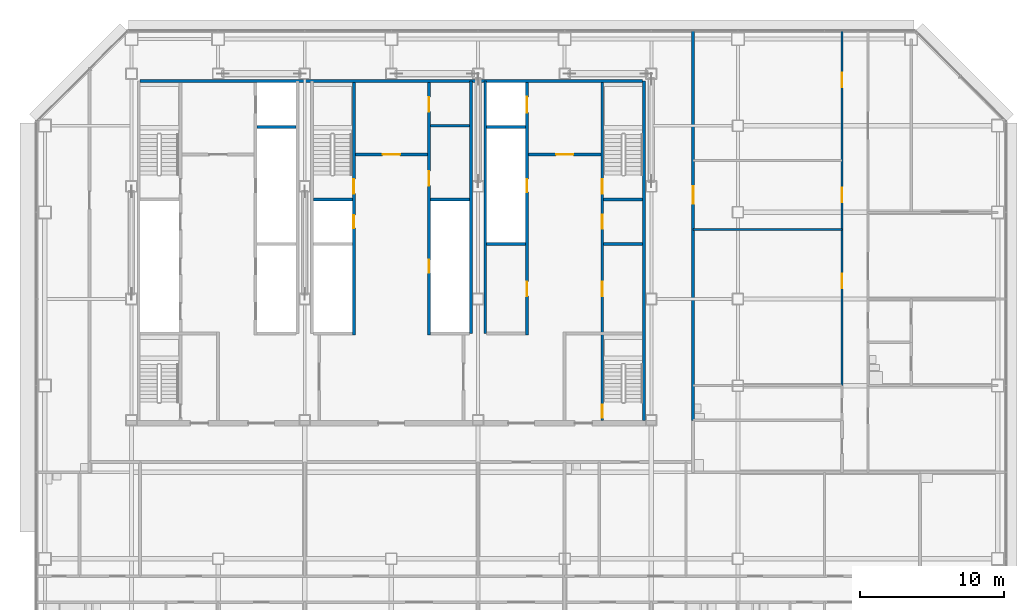
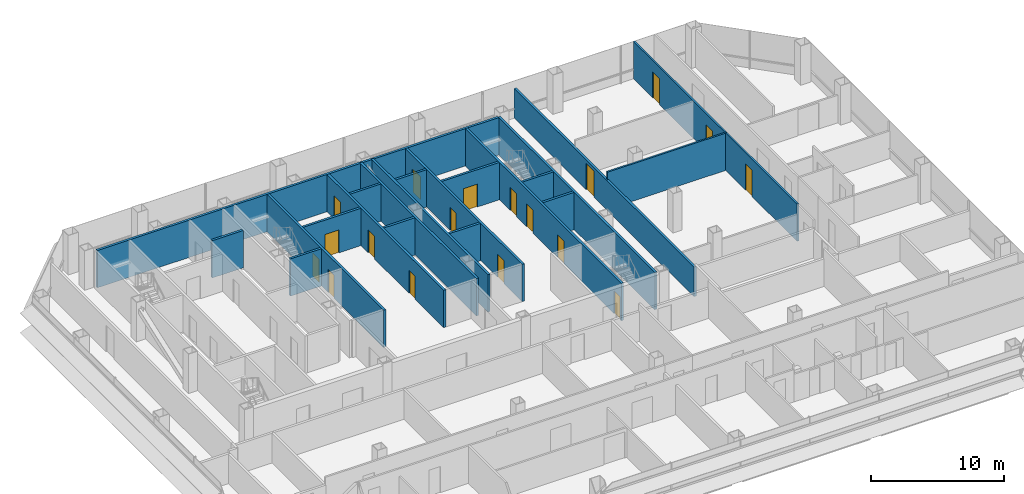
# One storey, part 23 of 27: 21 walls, 18 doors, 18 openings.
"""IFC4 building model written with IfcOpenShell, lengths in metres."""

from ifc_helpers import new_model, si_unit, direction, frame, frame_2d, origin, place, context, subcontext, project, spatial, rectangle, extrude, material, layer, layer_set, type_object, element, fill, save


model = new_model("IFC4")

# Units and contexts
model_context = context("Model", 3, precision=1e-05, world=origin(), true_north=direction((0.0, 1.0)))
body_context = subcontext(model_context, "Body", "Model", "MODEL_VIEW")
ifc_project = project(units=[si_unit("LENGTHUNIT", "METRE"), si_unit("AREAUNIT", "SQUARE_METRE"), si_unit("VOLUMEUNIT", "CUBIC_METRE"), si_unit("PLANEANGLEUNIT", "RADIAN"), si_unit("MASSUNIT", "GRAM", prefix="KILO")], contexts=[model_context])

# Site, building, storey
site_placement = place(None, origin())
site = spatial("IfcSite", under=ifc_project, at=site_placement, CompositionType="ELEMENT")
building_placement = place(site_placement, origin())
building = spatial("IfcBuilding", under=site, at=building_placement, Name="Sorahane Residences", CompositionType="ELEMENT")
storey_placement = place(building_placement, frame((0.0, 0.0, 57.0)))
storey = spatial("IfcBuildingStorey", under=building, at=storey_placement, Name="L10", CompositionType="ELEMENT", Elevation=57.0)

# Walls
ifc_material_1 = material(Name="Concrete C30", Category="concrete")
ifc_layer_1 = layer(ifc_material_1, 0.199951171875)
ifc_layer_set_1 = layer_set([ifc_layer_1], Name="Core face wall 200 EI 180")
wall_type_1 = type_object("IfcWallType", Name="Core face wall 200 EI 180", PredefinedType="SOLIDWALL", material=ifc_layer_set_1)
wall_1_placement = place(storey_placement, frame((41.5, 21.60009765625, 0.0), z_axis=(0.0, 0.0, 1.0), x_axis=(0.0, 1.0, 0.0)))
element("IfcWall", 1, at=wall_1_placement, inside=storey, type_object=wall_type_1, Name="L10 core face wall", PredefinedType="SOLIDWALL", context=body_context, shape_type="SweptSolid", body=[
    extrude(rectangle(XDim=23.5, YDim=0.199951171875, at=frame_2d((11.75, 0.0))), origin(), (0.0, 0.0, 1.0), 3.419921875),
])
wall_2_placement = place(storey_placement, frame((6.60009765625, 45.10009765625, 0.0), z_axis=(0.0, 0.0, 1.0), x_axis=(1.0, 0.0, 0.0)))
element("IfcWall", 2, at=wall_2_placement, inside=storey, type_object=wall_type_1, Name="L10 core face wall", PredefinedType="SOLIDWALL", context=body_context, shape_type="SweptSolid", body=[
    extrude(rectangle(XDim=34.7998046875, YDim=0.199951171875, at=frame_2d((17.39990234375, 0.0))), origin(), (0.0, 0.0, 1.0), 3.419921875),
])
for number, where, z_axis, x_axis, name in (
    (3, (29.5, 27.60009765625, 0.0), (0.0, 0.0, 1.0), (0.0, 1.0, 0.0), "L10 core face wall"),
    (4, (30.5, 27.60009765625, 0.0), (0.0, 0.0, 1.0), (0.0, 1.0, 0.0), "L10 core face wall"),
):
    element("IfcWall", number, at=place(storey_placement, frame(where, z_axis=z_axis, x_axis=x_axis)), inside=storey, type_object=wall_type_1, Name=name, PredefinedType="SOLIDWALL", context=body_context, shape_type="SweptSolid", body=[
        extrude(rectangle(XDim=17.5, YDim=0.199951171875, at=frame_2d((8.75, 0.0))), origin(), (0.0, 0.0, 1.0), 3.419921875),
    ])

# Wall, opening, door
ifc_material_2 = material(Name="Concrete blockwork C20 wall", Category="masonry")
ifc_layer_2 = layer(ifc_material_2, 0.199951171875)
ifc_layer_set_2 = layer_set([ifc_layer_2], Name="Corridor wall 200 EI 120")
wall_type_2 = type_object("IfcWallType", Name="Corridor wall 200 EI 120", PredefinedType="SOLIDWALL", material=ifc_layer_set_2)
wall_3_placement = place(storey_placement, frame((44.89990234375, 21.60009765625, 0.0), z_axis=(0.0, 0.0, 1.0), x_axis=(0.0, 1.0, 0.0)))
wall_3 = element("IfcWall", 5, at=wall_3_placement, inside=storey, type_object=wall_type_2, Name="L10 corridor wall", PredefinedType="SOLIDWALL", context=body_context, shape_type="SweptSolid", body=[
    extrude(rectangle(XDim=27.0, YDim=0.199951171875, at=frame_2d((13.5, 0.0))), origin(), (0.0, 0.0, 1.0), 2.719970703125),
])
opening_1_placement = place(wall_3_placement, frame((15.0, 0.0, 0.0)))
opening_1 = element("IfcOpeningElement", 6, at=opening_1_placement, cuts=wall_3, Name="Opening L10-42", PredefinedType="OPENING", context=body_context, shape_type="SweptSolid", body=[
    extrude(rectangle(XDim=1.199951171875, YDim=2.39990234375, at=frame_2d((0.60009765625, 1.199951171875))), frame((0.0, 0.10986328125, 0.0), z_axis=(0.0, -1.0, 0.0), x_axis=(1.0, 0.0, 0.0)), (0.0, 0.0, 1.0), 0.219970703125),
])
ifc_material_3 = material(Name="Timber veneered fire door", Category="wood")
door_type_1 = type_object("IfcDoorType", Name="Flat entrance door 1200x2400 FD60", OperationType="NOTDEFINED", PredefinedType="DOOR", material=ifc_material_3)
door_1_placement = place(opening_1_placement, frame((1.199951171875, 0.0, 0.0), z_axis=(0.0, 0.0, 1.0), x_axis=(-1.0, 0.0, 0.0)))
door_1 = element("IfcDoor", 7, at=door_1_placement, inside=storey, type_object=door_type_1, Name="Flat entrance door L10-42", OperationType="SINGLE_SWING_RIGHT", OverallHeight=2.39990234375, OverallWidth=1.199951171875, PredefinedType="DOOR", context=body_context, shape_type="SweptSolid", body=[
    extrude(rectangle(XDim=1.199951171875, YDim=2.39990234375, at=frame_2d((0.60009765625, 1.199951171875))), frame((0.0, 0.02490234375, 0.0), z_axis=(0.0, -1.0, 0.0), x_axis=(1.0, 0.0, 0.0)), (0.0, 0.0, 1.0), 0.050048828125),
])
fill(opening_1, door_1)

ifc_material_4 = material(Name="Concrete C30", Category="concrete")
ifc_layer_3 = layer(ifc_material_4, 0.199951171875)
ifc_layer_set_3 = layer_set([ifc_layer_3], Name="Front room wall 200 EI 120")
wall_type_3 = type_object("IfcWallType", Name="Front room wall 200 EI 120", PredefinedType="PARTITIONING", material=ifc_layer_set_3)
wall_4_placement = place(storey_placement, frame((21.5, 40.0, 0.0), z_axis=(0.0, 0.0, 1.0), x_axis=(1.0, 0.0, 0.0)))
wall_4 = element("IfcWall", 8, at=wall_4_placement, inside=storey, type_object=wall_type_3, Name="L10 front room wall", PredefinedType="PARTITIONING", context=body_context, shape_type="SweptSolid", body=[
    extrude(rectangle(XDim=5.0, YDim=0.199951171875, at=frame_2d((2.5, 0.0))), origin(), (0.0, 0.0, 1.0), 3.419921875),
])
opening_2_placement = place(wall_4_placement, frame((1.89990234375, 0.0, 0.0)))
opening_2 = element("IfcOpeningElement", 9, at=opening_2_placement, cuts=wall_4, Name="Opening L10-C09", PredefinedType="OPENING", context=body_context, shape_type="SweptSolid", body=[
    extrude(rectangle(XDim=1.199951171875, YDim=2.10009765625, at=frame_2d((0.60009765625, 1.050048828125))), frame((0.0, 0.10986328125, 0.0), z_axis=(0.0, -1.0, 0.0), x_axis=(1.0, 0.0, 0.0)), (0.0, 0.0, 1.0), 0.219970703125),
])
ifc_material_5 = material(Name="Steel", Category="steel")
door_type_2 = type_object("IfcDoorType", Name="Front room door 1200x2100 FD120", OperationType="NOTDEFINED", PredefinedType="DOOR", material=ifc_material_5)
door_2_placement = place(opening_2_placement, frame((1.199951171875, 0.0, 0.0), z_axis=(0.0, 0.0, 1.0), x_axis=(-1.0, 0.0, 0.0)))
door_2 = element("IfcDoor", 10, at=door_2_placement, inside=storey, type_object=door_type_2, Name="Front room door Stair S3 vestibule L10", OperationType="DOUBLE_DOOR_SINGLE_SWING", OverallHeight=2.10009765625, OverallWidth=1.199951171875, PredefinedType="DOOR", context=body_context, shape_type="SweptSolid", body=[
    extrude(rectangle(XDim=1.199951171875, YDim=2.10009765625, at=frame_2d((0.60009765625, 1.050048828125))), frame((0.0, 0.02490234375, 0.0), z_axis=(0.0, -1.0, 0.0), x_axis=(1.0, 0.0, 0.0)), (0.0, 0.0, 1.0), 0.050048828125),
])
fill(opening_2, door_2)

wall_5_placement = place(storey_placement, frame((33.5, 40.0, 0.0), z_axis=(0.0, 0.0, 1.0), x_axis=(1.0, 0.0, 0.0)))
wall_5 = element("IfcWall", 11, at=wall_5_placement, inside=storey, type_object=wall_type_3, Name="L10 front room wall", PredefinedType="PARTITIONING", context=body_context, shape_type="SweptSolid", body=[
    extrude(rectangle(XDim=5.0, YDim=0.199951171875, at=frame_2d((2.5, 0.0))), origin(), (0.0, 0.0, 1.0), 3.419921875),
])
opening_3_placement = place(wall_5_placement, frame((1.89990234375, 0.0, 0.0)))
opening_3 = element("IfcOpeningElement", 12, at=opening_3_placement, cuts=wall_5, Name="Opening L10-C10", PredefinedType="OPENING", context=body_context, shape_type="SweptSolid", body=[
    extrude(rectangle(XDim=1.199951171875, YDim=2.10009765625, at=frame_2d((0.60009765625, 1.050048828125))), frame((0.0, 0.10986328125, 0.0), z_axis=(0.0, -1.0, 0.0), x_axis=(1.0, 0.0, 0.0)), (0.0, 0.0, 1.0), 0.219970703125),
])
door_3_placement = place(opening_3_placement, frame((1.199951171875, 0.0, 0.0), z_axis=(0.0, 0.0, 1.0), x_axis=(-1.0, 0.0, 0.0)))
door_3 = element("IfcDoor", 13, at=door_3_placement, inside=storey, type_object=door_type_2, Name="Front room door Firefighting lobby FF2 front room L10", OperationType="DOUBLE_DOOR_SINGLE_SWING", OverallHeight=2.10009765625, OverallWidth=1.199951171875, PredefinedType="DOOR", context=body_context, shape_type="SweptSolid", body=[
    extrude(rectangle(XDim=1.199951171875, YDim=2.10009765625, at=frame_2d((0.60009765625, 1.050048828125))), frame((0.0, 0.02490234375, 0.0), z_axis=(0.0, -1.0, 0.0), x_axis=(1.0, 0.0, 0.0)), (0.0, 0.0, 1.0), 0.050048828125),
])
fill(opening_3, door_3)

# Wall, openings, doors
ifc_material_6 = material(Name="Concrete C30", Category="concrete")
ifc_layer_4 = layer(ifc_material_6, 0.199951171875)
ifc_layer_set_4 = layer_set([ifc_layer_4], Name="Lift shaft wall 200 EI 120")
wall_type_4 = type_object("IfcWallType", Name="Lift shaft wall 200 EI 120", PredefinedType="SOLIDWALL", material=ifc_layer_set_4)
wall_6_placement = place(storey_placement, frame((33.39990234375, 27.5, 0.0), z_axis=(0.0, 0.0, 1.0), x_axis=(0.0, 1.0, 0.0)))
wall_6 = element("IfcWall", 14, at=wall_6_placement, inside=storey, type_object=wall_type_4, Name="L10 lift shaft wall", PredefinedType="SOLIDWALL", context=body_context, shape_type="SweptSolid", body=[
    extrude(rectangle(XDim=17.5, YDim=0.199951171875, at=frame_2d((8.75, 0.0))), origin(), (0.0, 0.0, 1.0), 3.419921875),
])
opening_4_placement = place(wall_6_placement, frame((15.39990234375, 0.0, 0.0)))
opening_4 = element("IfcOpeningElement", 15, at=opening_4_placement, cuts=wall_6, Name="Opening L10-C11", PredefinedType="OPENING", context=body_context, shape_type="SweptSolid", body=[
    extrude(rectangle(XDim=1.10009765625, YDim=2.10009765625, at=frame_2d((0.550048828125, 1.050048828125))), frame((0.0, 0.10986328125, 0.0), z_axis=(0.0, -1.0, 0.0), x_axis=(1.0, 0.0, 0.0)), (0.0, 0.0, 1.0), 0.219970703125),
])
opening_5_placement = place(wall_6_placement, frame((2.699951171875, 0.0, 0.0)))
opening_5 = element("IfcOpeningElement", 16, at=opening_5_placement, cuts=wall_6, Name="Opening L10-C20", PredefinedType="OPENING", context=body_context, shape_type="SweptSolid", body=[
    extrude(rectangle(XDim=1.0, YDim=2.10009765625, at=frame_2d((0.5, 1.050048828125))), frame((0.0, 0.10986328125, 0.0), z_axis=(0.0, -1.0, 0.0), x_axis=(1.0, 0.0, 0.0)), (0.0, 0.0, 1.0), 0.219970703125),
])
opening_6_placement = place(wall_6_placement, frame((9.89990234375, 0.0, 0.0)))
opening_6 = element("IfcOpeningElement", 17, at=opening_6_placement, cuts=wall_6, Name="Opening L10-C27", PredefinedType="OPENING", context=body_context, shape_type="SweptSolid", body=[
    extrude(rectangle(XDim=0.89990234375, YDim=2.10009765625, at=frame_2d((0.449951171875, 1.050048828125))), frame((0.0, 0.10986328125, 0.0), z_axis=(0.0, -1.0, 0.0), x_axis=(1.0, 0.0, 0.0)), (0.0, 0.0, 1.0), 0.219970703125),
])
ifc_material_7 = material(Name="Aluminium and stainless steel", Category="steel")
door_type_3 = type_object("IfcDoorType", Name="Lift landing door 1100x2100 E 60", OperationType="NOTDEFINED", PredefinedType="DOOR", material=ifc_material_7)
door_4_placement = place(opening_4_placement, origin())
door_4 = element("IfcDoor", 18, at=door_4_placement, inside=storey, type_object=door_type_3, Name="Lift landing door FF2 L10", OperationType="DOUBLE_DOOR_SLIDING", OverallHeight=2.10009765625, OverallWidth=1.10009765625, PredefinedType="DOOR", context=body_context, shape_type="SweptSolid", body=[
    extrude(rectangle(XDim=1.10009765625, YDim=2.10009765625, at=frame_2d((0.550048828125, 1.050048828125))), frame((0.0, 0.02490234375, 0.0), z_axis=(0.0, -1.0, 0.0), x_axis=(1.0, 0.0, 0.0)), (0.0, 0.0, 1.0), 0.050048828125),
])
fill(opening_4, door_4)
ifc_material_8 = material(Name="Steel", Category="steel")
door_type_4 = type_object("IfcDoorType", Name="Riser door 900x2100 FD120", OperationType="NOTDEFINED", PredefinedType="DOOR", material=ifc_material_8)
door_5_placement = place(opening_6_placement, frame((0.89990234375, 0.0, 0.0), z_axis=(0.0, 0.0, 1.0), x_axis=(-1.0, 0.0, 0.0)))
door_5 = element("IfcDoor", 19, at=door_5_placement, inside=storey, type_object=door_type_4, Name="Riser door R2 L10", OperationType="SINGLE_SWING_LEFT", OverallHeight=2.10009765625, OverallWidth=0.89990234375, PredefinedType="DOOR", context=body_context, shape_type="SweptSolid", body=[
    extrude(rectangle(XDim=0.89990234375, YDim=2.10009765625, at=frame_2d((0.449951171875, 1.050048828125))), frame((0.0, 0.02490234375, 0.0), z_axis=(0.0, -1.0, 0.0), x_axis=(1.0, 0.0, 0.0)), (0.0, 0.0, 1.0), 0.050048828125),
])
fill(opening_6, door_5)
ifc_material_9 = material(Name="Steel", Category="steel")
door_type_5 = type_object("IfcDoorType", Name="Service room door 1000x2100 FD60", OperationType="NOTDEFINED", PredefinedType="DOOR", material=ifc_material_9)
door_6_placement = place(opening_5_placement, origin())
door_6 = element("IfcDoor", 20, at=door_6_placement, inside=storey, type_object=door_type_5, Name="Service room door Meeting room L10", OperationType="SINGLE_SWING_RIGHT", OverallHeight=2.10009765625, OverallWidth=1.0, PredefinedType="DOOR", context=body_context, shape_type="SweptSolid", body=[
    extrude(rectangle(XDim=1.0, YDim=2.10009765625, at=frame_2d((0.5, 1.050048828125))), frame((0.0, 0.02490234375, 0.0), z_axis=(0.0, -1.0, 0.0), x_axis=(1.0, 0.0, 0.0)), (0.0, 0.0, 1.0), 0.050048828125),
])
fill(opening_5, door_6)

# Walls
for number, where, z_axis, x_axis, name in (
    (21, (14.699951171875, 41.89990234375, 0.0), (0.0, 0.0, 1.0), (1.0, 0.0, 0.0), "L10 lift shaft wall"),
    (22, (30.60009765625, 41.89990234375, 0.0), (0.0, 0.0, 1.0), (1.0, 0.0, 0.0), "L10 lift shaft wall"),
):
    element("IfcWall", number, at=place(storey_placement, frame(where, z_axis=z_axis, x_axis=x_axis)), inside=storey, type_object=wall_type_4, Name=name, PredefinedType="SOLIDWALL", context=body_context, shape_type="SweptSolid", body=[
        extrude(rectangle(XDim=2.699951171875, YDim=0.199951171875, at=frame_2d((1.35009765625, 0.0))), origin(), (0.0, 0.0, 1.0), 3.419921875),
    ])

# Wall, openings, doors
ifc_material_10 = material(Name="Gypsum board partition on steel studs", Category="steel")
ifc_layer_5 = layer(ifc_material_10, 0.14990234375)
ifc_layer_set_5 = layer_set([ifc_layer_5], Name="Partition 150 EI 90")
wall_type_5 = type_object("IfcWallType", Name="Partition 150 EI 90", PredefinedType="PARTITIONING", material=ifc_layer_set_5)
wall_7_placement = place(storey_placement, frame((55.199951171875, 24.0, 0.0), z_axis=(0.0, 0.0, 1.0), x_axis=(0.0, 1.0, 0.0)))
wall_7 = element("IfcWall", 23, at=wall_7_placement, inside=storey, type_object=wall_type_5, Name="L10 partition", PredefinedType="PARTITIONING", context=body_context, shape_type="SweptSolid", body=[
    extrude(rectangle(XDim=24.60009765625, YDim=0.14990234375, at=frame_2d((12.300048828125, 0.0))), origin(), (0.0, 0.0, 1.0), 3.419921875),
])
opening_7_placement = place(wall_7_placement, frame((12.699951171875, 0.0, 0.0)))
opening_7 = element("IfcOpeningElement", 24, at=opening_7_placement, cuts=wall_7, Name="Opening L10-28", PredefinedType="OPENING", context=body_context, shape_type="SweptSolid", body=[
    extrude(rectangle(XDim=1.0, YDim=2.39990234375, at=frame_2d((0.5, 1.199951171875))), frame((0.0, 0.0849609375, 0.0), z_axis=(0.0, -1.0, 0.0), x_axis=(1.0, 0.0, 0.0)), (0.0, 0.0, 1.0), 0.169921875),
])
opening_8_placement = place(wall_7_placement, frame((6.760009765625, 0.0, 0.0)))
opening_8 = element("IfcOpeningElement", 25, at=opening_8_placement, cuts=wall_7, Name="Opening L10-31", PredefinedType="OPENING", context=body_context, shape_type="SweptSolid", body=[
    extrude(rectangle(XDim=1.0, YDim=2.39990234375, at=frame_2d((0.5, 1.199951171875))), frame((0.0, 0.0849609375, 0.0), z_axis=(0.0, -1.0, 0.0), x_axis=(1.0, 0.0, 0.0)), (0.0, 0.0, 1.0), 0.169921875),
])
opening_9_placement = place(wall_7_placement, frame((20.679931640625, 0.0, 0.0)))
opening_9 = element("IfcOpeningElement", 26, at=opening_9_placement, cuts=wall_7, Name="Opening L10-32", PredefinedType="OPENING", context=body_context, shape_type="SweptSolid", body=[
    extrude(rectangle(XDim=1.0, YDim=2.39990234375, at=frame_2d((0.5, 1.199951171875))), frame((0.0, 0.0849609375, 0.0), z_axis=(0.0, -1.0, 0.0), x_axis=(1.0, 0.0, 0.0)), (0.0, 0.0, 1.0), 0.169921875),
])
ifc_material_11 = material(Name="Timber veneered fire door", Category="wood")
door_type_6 = type_object("IfcDoorType", Name="Room door 1000x2400 FD30", OperationType="NOTDEFINED", PredefinedType="DOOR", material=ifc_material_11)
door_7_placement = place(opening_7_placement, frame((1.0, 0.0, 0.0), z_axis=(0.0, 0.0, 1.0), x_axis=(-1.0, 0.0, 0.0)))
door_7 = element("IfcDoor", 27, at=door_7_placement, inside=storey, type_object=door_type_6, Name="Room door L10-28", OperationType="SINGLE_SWING_LEFT", OverallHeight=2.39990234375, OverallWidth=1.0, PredefinedType="DOOR", context=body_context, shape_type="SweptSolid", body=[
    extrude(rectangle(XDim=1.0, YDim=2.39990234375, at=frame_2d((0.5, 1.199951171875))), frame((0.0, 0.02490234375, 0.0), z_axis=(0.0, -1.0, 0.0), x_axis=(1.0, 0.0, 0.0)), (0.0, 0.0, 1.0), 0.050048828125),
])
fill(opening_7, door_7)
door_8_placement = place(opening_8_placement, origin())
door_8 = element("IfcDoor", 28, at=door_8_placement, inside=storey, type_object=door_type_6, Name="Room door L10-31", OperationType="SINGLE_SWING_LEFT", OverallHeight=2.39990234375, OverallWidth=1.0, PredefinedType="DOOR", context=body_context, shape_type="SweptSolid", body=[
    extrude(rectangle(XDim=1.0, YDim=2.39990234375, at=frame_2d((0.5, 1.199951171875))), frame((0.0, 0.02490234375, 0.0), z_axis=(0.0, -1.0, 0.0), x_axis=(1.0, 0.0, 0.0)), (0.0, 0.0, 1.0), 0.050048828125),
])
fill(opening_8, door_8)
door_9_placement = place(opening_9_placement, origin())
door_9 = element("IfcDoor", 29, at=door_9_placement, inside=storey, type_object=door_type_6, Name="Room door L10-32", OperationType="SINGLE_SWING_RIGHT", OverallHeight=2.39990234375, OverallWidth=1.0, PredefinedType="DOOR", context=body_context, shape_type="SweptSolid", body=[
    extrude(rectangle(XDim=1.0, YDim=2.39990234375, at=frame_2d((0.5, 1.199951171875))), frame((0.0, 0.02490234375, 0.0), z_axis=(0.0, -1.0, 0.0), x_axis=(1.0, 0.0, 0.0)), (0.0, 0.0, 1.0), 0.050048828125),
])
fill(opening_9, door_9)

# Wall
wall_8_placement = place(storey_placement, frame((44.89990234375, 34.800048828125, 0.0), z_axis=(0.0, 0.0, 1.0), x_axis=(1.0, 0.0, 0.0)))
element("IfcWall", 30, at=wall_8_placement, inside=storey, type_object=wall_type_5, Name="L10 partition", PredefinedType="PARTITIONING", context=body_context, shape_type="SweptSolid", body=[
    extrude(rectangle(XDim=10.300048828125, YDim=0.14990234375, at=frame_2d((5.14990234375, 0.0))), origin(), (0.0, 0.0, 1.0), 3.419921875),
])

# Wall, openings, doors
ifc_material_12 = material(Name="Concrete C30", Category="concrete")
ifc_layer_6 = layer(ifc_material_12, 0.199951171875)
ifc_layer_set_6 = layer_set([ifc_layer_6], Name="Riser shaft wall 200 EI 120")
wall_type_6 = type_object("IfcWallType", Name="Riser shaft wall 200 EI 120", PredefinedType="SOLIDWALL", material=ifc_layer_set_6)
wall_9_placement = place(storey_placement, frame((26.60009765625, 27.5, 0.0), z_axis=(0.0, 0.0, 1.0), x_axis=(0.0, 1.0, 0.0)))
wall_9 = element("IfcWall", 31, at=wall_9_placement, inside=storey, type_object=wall_type_6, Name="L10 riser wall", PredefinedType="SOLIDWALL", context=body_context, shape_type="SweptSolid", body=[
    extrude(rectangle(XDim=17.5, YDim=0.199951171875, at=frame_2d((8.75, 0.0))), origin(), (0.0, 0.0, 1.0), 3.419921875),
])
opening_10_placement = place(wall_9_placement, frame((4.300048828125, 0.0, 0.0)))
opening_10 = element("IfcOpeningElement", 32, at=opening_10_placement, cuts=wall_9, Name="Opening L10-C29", PredefinedType="OPENING", context=body_context, shape_type="SweptSolid", body=[
    extrude(rectangle(XDim=0.89990234375, YDim=2.10009765625, at=frame_2d((0.449951171875, 1.050048828125))), frame((0.0, 0.10986328125, 0.0), z_axis=(0.0, -1.0, 0.0), x_axis=(1.0, 0.0, 0.0)), (0.0, 0.0, 1.0), 0.219970703125),
])
opening_11_placement = place(wall_9_placement, frame((10.35009765625, 0.0, 0.0)))
opening_11 = element("IfcOpeningElement", 33, at=opening_11_placement, cuts=wall_9, Name="Opening L10-C30", PredefinedType="OPENING", context=body_context, shape_type="SweptSolid", body=[
    extrude(rectangle(XDim=1.0, YDim=2.10009765625, at=frame_2d((0.5, 1.050048828125))), frame((0.0, 0.10986328125, 0.0), z_axis=(0.0, -1.0, 0.0), x_axis=(1.0, 0.0, 0.0)), (0.0, 0.0, 1.0), 0.219970703125),
])
opening_12_placement = place(wall_9_placement, frame((15.47509765625, 0.0, 0.0)))
opening_12 = element("IfcOpeningElement", 34, at=opening_12_placement, cuts=wall_9, Name="Opening L10-C31", PredefinedType="OPENING", context=body_context, shape_type="SweptSolid", body=[
    extrude(rectangle(XDim=1.0, YDim=2.10009765625, at=frame_2d((0.5, 1.050048828125))), frame((0.0, 0.10986328125, 0.0), z_axis=(0.0, -1.0, 0.0), x_axis=(1.0, 0.0, 0.0)), (0.0, 0.0, 1.0), 0.219970703125),
])
door_10_placement = place(opening_10_placement, origin())
door_10 = element("IfcDoor", 35, at=door_10_placement, inside=storey, type_object=door_type_4, Name="Riser door R4 L10", OperationType="SINGLE_SWING_LEFT", OverallHeight=2.10009765625, OverallWidth=0.89990234375, PredefinedType="DOOR", context=body_context, shape_type="SweptSolid", body=[
    extrude(rectangle(XDim=0.89990234375, YDim=2.10009765625, at=frame_2d((0.449951171875, 1.050048828125))), frame((0.0, 0.02490234375, 0.0), z_axis=(0.0, -1.0, 0.0), x_axis=(1.0, 0.0, 0.0)), (0.0, 0.0, 1.0), 0.050048828125),
])
fill(opening_10, door_10)
door_11_placement = place(opening_11_placement, frame((1.0, 0.0, 0.0), z_axis=(0.0, 0.0, 1.0), x_axis=(-1.0, 0.0, 0.0)))
door_11 = element("IfcDoor", 36, at=door_11_placement, inside=storey, type_object=door_type_5, Name="Service room door Parcel room L10", OperationType="SINGLE_SWING_LEFT", OverallHeight=2.10009765625, OverallWidth=1.0, PredefinedType="DOOR", context=body_context, shape_type="SweptSolid", body=[
    extrude(rectangle(XDim=1.0, YDim=2.10009765625, at=frame_2d((0.5, 1.050048828125))), frame((0.0, 0.02490234375, 0.0), z_axis=(0.0, -1.0, 0.0), x_axis=(1.0, 0.0, 0.0)), (0.0, 0.0, 1.0), 0.050048828125),
])
fill(opening_11, door_11)
door_12_placement = place(opening_12_placement, frame((1.0, 0.0, 0.0), z_axis=(0.0, 0.0, 1.0), x_axis=(-1.0, 0.0, 0.0)))
door_12 = element("IfcDoor", 37, at=door_12_placement, inside=storey, type_object=door_type_5, Name="Service room door Refuse room L10", OperationType="SINGLE_SWING_RIGHT", OverallHeight=2.10009765625, OverallWidth=1.0, PredefinedType="DOOR", context=body_context, shape_type="SweptSolid", body=[
    extrude(rectangle(XDim=1.0, YDim=2.10009765625, at=frame_2d((0.5, 1.050048828125))), frame((0.0, 0.02490234375, 0.0), z_axis=(0.0, -1.0, 0.0), x_axis=(1.0, 0.0, 0.0)), (0.0, 0.0, 1.0), 0.050048828125),
])
fill(opening_12, door_12)

# Walls
for number, where, z_axis, x_axis, name in (
    (38, (30.60009765625, 33.800048828125, 0.0), (0.0, 0.0, 1.0), (1.0, 0.0, 0.0), "L10 riser wall"),
    (39, (26.699951171875, 36.89990234375, 0.0), (0.0, 0.0, 1.0), (1.0, 0.0, 0.0), "L10 riser wall"),
):
    element("IfcWall", number, at=place(storey_placement, frame(where, z_axis=z_axis, x_axis=x_axis)), inside=storey, type_object=wall_type_6, Name=name, PredefinedType="SOLIDWALL", context=body_context, shape_type="SweptSolid", body=[
        extrude(rectangle(XDim=2.699951171875, YDim=0.199951171875, at=frame_2d((1.35009765625, 0.0))), origin(), (0.0, 0.0, 1.0), 3.419921875),
    ])
ifc_material_13 = material(Name="Concrete C30", Category="concrete")
ifc_layer_7 = layer(ifc_material_13, 0.199951171875)
ifc_layer_set_7 = layer_set([ifc_layer_7], Name="Service room partition 200 EI 60")
wall_type_7 = type_object("IfcWallType", Name="Service room partition 200 EI 60", PredefinedType="PARTITIONING", material=ifc_layer_set_7)
for number, where, z_axis, x_axis, name in (
    (40, (38.699951171875, 33.800048828125, 0.0), (0.0, 0.0, 1.0), (1.0, 0.0, 0.0), "L10 service room wall"),
    (41, (26.699951171875, 42.0, 0.0), (0.0, 0.0, 1.0), (1.0, 0.0, 0.0), "L10 service room wall"),
):
    element("IfcWall", number, at=place(storey_placement, frame(where, z_axis=z_axis, x_axis=x_axis)), inside=storey, type_object=wall_type_7, Name=name, PredefinedType="PARTITIONING", context=body_context, shape_type="SweptSolid", body=[
        extrude(rectangle(XDim=2.699951171875, YDim=0.199951171875, at=frame_2d((1.35009765625, 0.0))), origin(), (0.0, 0.0, 1.0), 3.419921875),
    ])

# Wall, openings, doors
ifc_material_14 = material(Name="Concrete C30", Category="concrete")
ifc_layer_8 = layer(ifc_material_14, 0.199951171875)
ifc_layer_set_8 = layer_set([ifc_layer_8], Name="Stair enclosure wall 200 EI 120")
wall_type_8 = type_object("IfcWallType", Name="Stair enclosure wall 200 EI 120", PredefinedType="SOLIDWALL", material=ifc_layer_set_8)
wall_10_placement = place(storey_placement, frame((21.39990234375, 27.5, 0.0), z_axis=(0.0, 0.0, 1.0), x_axis=(0.0, 1.0, 0.0)))
wall_10 = element("IfcWall", 42, at=wall_10_placement, inside=storey, type_object=wall_type_8, Name="L10 stair enclosure wall", PredefinedType="SOLIDWALL", context=body_context, shape_type="SweptSolid", body=[
    extrude(rectangle(XDim=17.5, YDim=0.199951171875, at=frame_2d((8.75, 0.0))), origin(), (0.0, 0.0, 1.0), 3.419921875),
])
opening_13_placement = place(wall_10_placement, frame((9.800048828125, 0.0, 0.0)))
opening_13 = element("IfcOpeningElement", 43, at=opening_13_placement, cuts=wall_10, Name="Opening L10-C23", PredefinedType="OPENING", context=body_context, shape_type="SweptSolid", body=[
    extrude(rectangle(XDim=1.0, YDim=2.10009765625, at=frame_2d((0.5, 1.050048828125))), frame((0.0, 0.10986328125, 0.0), z_axis=(0.0, -1.0, 0.0), x_axis=(1.0, 0.0, 0.0)), (0.0, 0.0, 1.0), 0.219970703125),
])
opening_14_placement = place(wall_10_placement, frame((7.39990234375, 0.0, 0.0)))
opening_14 = element("IfcOpeningElement", 44, at=opening_14_placement, cuts=wall_10, Name="Opening L10-C28", PredefinedType="OPENING", context=body_context, shape_type="SweptSolid", body=[
    extrude(rectangle(XDim=0.89990234375, YDim=2.10009765625, at=frame_2d((0.449951171875, 1.050048828125))), frame((0.0, 0.10986328125, 0.0), z_axis=(0.0, -1.0, 0.0), x_axis=(1.0, 0.0, 0.0)), (0.0, 0.0, 1.0), 0.219970703125),
])
door_13_placement = place(opening_14_placement, frame((0.89990234375, 0.0, 0.0), z_axis=(0.0, 0.0, 1.0), x_axis=(-1.0, 0.0, 0.0)))
door_13 = element("IfcDoor", 45, at=door_13_placement, inside=storey, type_object=door_type_4, Name="Riser door R3 L10", OperationType="SINGLE_SWING_LEFT", OverallHeight=2.10009765625, OverallWidth=0.89990234375, PredefinedType="DOOR", context=body_context, shape_type="SweptSolid", body=[
    extrude(rectangle(XDim=0.89990234375, YDim=2.10009765625, at=frame_2d((0.449951171875, 1.050048828125))), frame((0.0, 0.02490234375, 0.0), z_axis=(0.0, -1.0, 0.0), x_axis=(1.0, 0.0, 0.0)), (0.0, 0.0, 1.0), 0.050048828125),
])
fill(opening_14, door_13)
ifc_material_15 = material(Name="Steel", Category="steel")
door_type_7 = type_object("IfcDoorType", Name="Stair door 1000x2100 FD120", OperationType="NOTDEFINED", PredefinedType="DOOR", material=ifc_material_15)
door_14_placement = place(opening_13_placement, origin())
door_14 = element("IfcDoor", 46, at=door_14_placement, inside=storey, type_object=door_type_7, Name="Stair door S3 L10", OperationType="SINGLE_SWING_LEFT", OverallHeight=2.10009765625, OverallWidth=1.0, PredefinedType="DOOR", context=body_context, shape_type="SweptSolid", body=[
    extrude(rectangle(XDim=1.0, YDim=2.10009765625, at=frame_2d((0.5, 1.050048828125))), frame((0.0, 0.02490234375, 0.0), z_axis=(0.0, -1.0, 0.0), x_axis=(1.0, 0.0, 0.0)), (0.0, 0.0, 1.0), 0.050048828125),
])
fill(opening_13, door_14)

wall_11_placement = place(storey_placement, frame((38.60009765625, 21.60009765625, 0.0), z_axis=(0.0, 0.0, 1.0), x_axis=(0.0, 1.0, 0.0)))
wall_11 = element("IfcWall", 47, at=wall_11_placement, inside=storey, type_object=wall_type_8, Name="L10 stair enclosure wall", PredefinedType="SOLIDWALL", context=body_context, shape_type="SweptSolid", body=[
    extrude(rectangle(XDim=23.39990234375, YDim=0.199951171875, at=frame_2d((11.699951171875, 0.0))), origin(), (0.0, 0.0, 1.0), 3.419921875),
])
opening_15_placement = place(wall_11_placement, frame((8.60009765625, 0.0, 0.0)))
opening_15 = element("IfcOpeningElement", 48, at=opening_15_placement, cuts=wall_11, Name="Opening L10-C18", PredefinedType="OPENING", context=body_context, shape_type="SweptSolid", body=[
    extrude(rectangle(XDim=1.0, YDim=2.10009765625, at=frame_2d((0.5, 1.050048828125))), frame((0.0, 0.10986328125, 0.0), z_axis=(0.0, -1.0, 0.0), x_axis=(1.0, 0.0, 0.0)), (0.0, 0.0, 1.0), 0.219970703125),
])
opening_16_placement = place(wall_11_placement, frame((13.25, 0.0, 0.0)))
opening_16 = element("IfcOpeningElement", 49, at=opening_16_placement, cuts=wall_11, Name="Opening L10-C19", PredefinedType="OPENING", context=body_context, shape_type="SweptSolid", body=[
    extrude(rectangle(XDim=1.0, YDim=2.10009765625, at=frame_2d((0.5, 1.050048828125))), frame((0.0, 0.10986328125, 0.0), z_axis=(0.0, -1.0, 0.0), x_axis=(1.0, 0.0, 0.0)), (0.0, 0.0, 1.0), 0.219970703125),
])
opening_17_placement = place(wall_11_placement, frame((15.699951171875, 0.0, 0.0)))
opening_17 = element("IfcOpeningElement", 50, at=opening_17_placement, cuts=wall_11, Name="Opening L10-C22", PredefinedType="OPENING", context=body_context, shape_type="SweptSolid", body=[
    extrude(rectangle(XDim=1.0, YDim=2.10009765625, at=frame_2d((0.5, 1.050048828125))), frame((0.0, 0.10986328125, 0.0), z_axis=(0.0, -1.0, 0.0), x_axis=(1.0, 0.0, 0.0)), (0.0, 0.0, 1.0), 0.219970703125),
])
opening_18_placement = place(wall_11_placement, frame((0.175048828125, 0.0, 0.0)))
opening_18 = element("IfcOpeningElement", 51, at=opening_18_placement, cuts=wall_11, Name="Opening L10-C25", PredefinedType="OPENING", context=body_context, shape_type="SweptSolid", body=[
    extrude(rectangle(XDim=0.89990234375, YDim=2.10009765625, at=frame_2d((0.449951171875, 1.050048828125))), frame((0.0, 0.10986328125, 0.0), z_axis=(0.0, -1.0, 0.0), x_axis=(1.0, 0.0, 0.0)), (0.0, 0.0, 1.0), 0.219970703125),
])
door_15_placement = place(opening_15_placement, frame((1.0, 0.0, 0.0), z_axis=(0.0, 0.0, 1.0), x_axis=(-1.0, 0.0, 0.0)))
door_15 = element("IfcDoor", 52, at=door_15_placement, inside=storey, type_object=door_type_5, Name="Service room door Meeting room L10", OperationType="SINGLE_SWING_RIGHT", OverallHeight=2.10009765625, OverallWidth=1.0, PredefinedType="DOOR", context=body_context, shape_type="SweptSolid", body=[
    extrude(rectangle(XDim=1.0, YDim=2.10009765625, at=frame_2d((0.5, 1.050048828125))), frame((0.0, 0.02490234375, 0.0), z_axis=(0.0, -1.0, 0.0), x_axis=(1.0, 0.0, 0.0)), (0.0, 0.0, 1.0), 0.050048828125),
])
fill(opening_15, door_15)
door_16_placement = place(opening_16_placement, frame((1.0, 0.0, 0.0), z_axis=(0.0, 0.0, 1.0), x_axis=(-1.0, 0.0, 0.0)))
door_16 = element("IfcDoor", 53, at=door_16_placement, inside=storey, type_object=door_type_5, Name="Service room door Meeting room L10", OperationType="SINGLE_SWING_LEFT", OverallHeight=2.10009765625, OverallWidth=1.0, PredefinedType="DOOR", context=body_context, shape_type="SweptSolid", body=[
    extrude(rectangle(XDim=1.0, YDim=2.10009765625, at=frame_2d((0.5, 1.050048828125))), frame((0.0, 0.02490234375, 0.0), z_axis=(0.0, -1.0, 0.0), x_axis=(1.0, 0.0, 0.0)), (0.0, 0.0, 1.0), 0.050048828125),
])
fill(opening_16, door_16)
door_17_placement = place(opening_17_placement, frame((1.0, 0.0, 0.0), z_axis=(0.0, 0.0, 1.0), x_axis=(-1.0, 0.0, 0.0)))
door_17 = element("IfcDoor", 54, at=door_17_placement, inside=storey, type_object=door_type_7, Name="Stair door S2 L10", OperationType="SINGLE_SWING_LEFT", OverallHeight=2.10009765625, OverallWidth=1.0, PredefinedType="DOOR", context=body_context, shape_type="SweptSolid", body=[
    extrude(rectangle(XDim=1.0, YDim=2.10009765625, at=frame_2d((0.5, 1.050048828125))), frame((0.0, 0.02490234375, 0.0), z_axis=(0.0, -1.0, 0.0), x_axis=(1.0, 0.0, 0.0)), (0.0, 0.0, 1.0), 0.050048828125),
])
fill(opening_17, door_17)
ifc_material_16 = material(Name="Steel", Category="steel")
door_type_8 = type_object("IfcDoorType", Name="Stair door 900x2100 FD120", OperationType="NOTDEFINED", PredefinedType="DOOR", material=ifc_material_16)
door_18_placement = place(opening_18_placement, frame((0.89990234375, 0.0, 0.0), z_axis=(0.0, 0.0, 1.0), x_axis=(-1.0, 0.0, 0.0)))
door_18 = element("IfcDoor", 55, at=door_18_placement, inside=storey, type_object=door_type_8, Name="Stair door S5 L10", OperationType="SINGLE_SWING_LEFT", OverallHeight=2.10009765625, OverallWidth=0.89990234375, PredefinedType="DOOR", context=body_context, shape_type="SweptSolid", body=[
    extrude(rectangle(XDim=0.89990234375, YDim=2.10009765625, at=frame_2d((0.449951171875, 1.050048828125))), frame((0.0, 0.02490234375, 0.0), z_axis=(0.0, -1.0, 0.0), x_axis=(1.0, 0.0, 0.0)), (0.0, 0.0, 1.0), 0.050048828125),
])
fill(opening_18, door_18)

# Walls
for number, where, z_axis, x_axis, name in (
    (56, (18.60009765625, 36.89990234375, 0.0), (0.0, 0.0, 1.0), (1.0, 0.0, 0.0), "L10 stair enclosure wall"),
    (57, (38.699951171875, 36.89990234375, 0.0), (0.0, 0.0, 1.0), (1.0, 0.0, 0.0), "L10 stair enclosure wall"),
):
    element("IfcWall", number, at=place(storey_placement, frame(where, z_axis=z_axis, x_axis=x_axis)), inside=storey, type_object=wall_type_8, Name=name, PredefinedType="SOLIDWALL", context=body_context, shape_type="SweptSolid", body=[
        extrude(rectangle(XDim=2.699951171875, YDim=0.199951171875, at=frame_2d((1.35009765625, 0.0))), origin(), (0.0, 0.0, 1.0), 3.419921875),
    ])

save(model, "model.ifc")
